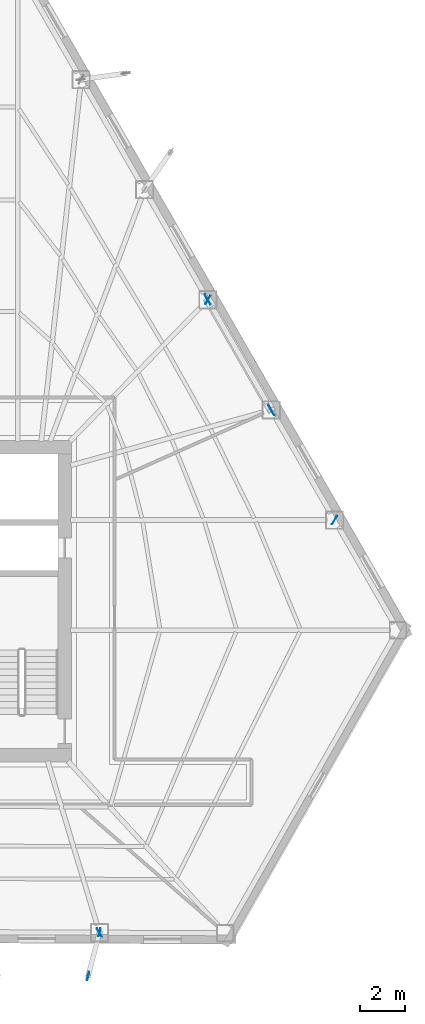
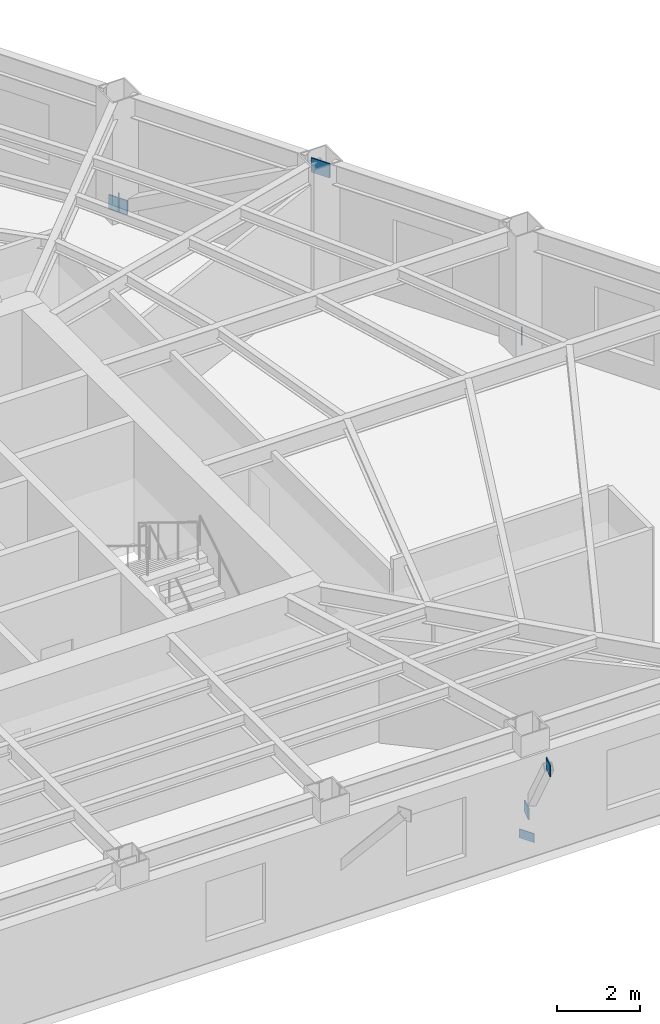
# One storey, part 7 of 13: 7 plates.
"""IFC4 building model written with IfcOpenShell, lengths in metres."""

from ifc_helpers import new_model, si_unit, direction, frame, origin, origin_2d, place, context, subcontext, project, spatial, rectangle, extrude, material, layer, layer_set, type_object, element, save


model = new_model("IFC4")

# Units and contexts
model_context = context("Model", 3, precision=1e-05, world=origin(), true_north=direction((0.0, 1.0)))
body_context = subcontext(model_context, "Body", "Model", "MODEL_VIEW")
ifc_project = project(units=[si_unit("LENGTHUNIT", "METRE"), si_unit("AREAUNIT", "SQUARE_METRE"), si_unit("VOLUMEUNIT", "CUBIC_METRE"), si_unit("PLANEANGLEUNIT", "RADIAN"), si_unit("MASSUNIT", "GRAM", prefix="KILO")], contexts=[model_context])

# Site, building, storey
site_placement = place(None, origin())
site = spatial("IfcSite", under=ifc_project, at=site_placement, CompositionType="ELEMENT")
building_placement = place(site_placement, origin())
building = spatial("IfcBuilding", under=site, at=building_placement, Name="Kavelnor Concourse Tower", CompositionType="ELEMENT")
storey_placement = place(building_placement, frame((0.0, 0.0, 36.800048828125)))
storey = spatial("IfcBuildingStorey", under=building, at=storey_placement, Name="L09", CompositionType="ELEMENT", Elevation=36.800048828125)

# Plates
ifc_material = material(Name="Steel Grade 350", Category="steel")
ifc_layer_1 = layer(ifc_material, 0.028076171875, Name="Steel Grade 350")
ifc_layer_set_1 = layer_set([ifc_layer_1], Name="Steel Grade 350")
plate_type_1 = type_object("IfcPlateType", Name="PL-GUSSET-FOLD", PredefinedType="USERDEFINED", material=ifc_layer_set_1)
for number, where, z_axis, x_axis, name in (
    (1, (49.357666015625, 1.459716796875, 0.8798828125), (0.0, 0.0, 1.0), (-0.254433162972, -0.967090360608, 0.0), "L09 Balcony Strut Gusset GP4 1-B End Gusset A"),
    (2, (48.851318359375, -0.464111328125, 3.48486328125), (0.0, 0.0, 1.0), (-0.254433162972, -0.967090360608, 0.0), "L09 Balcony Strut Gusset GP4 1-B End Gusset B"),
):
    element("IfcPlate", number, at=place(storey_placement, frame(where, z_axis=z_axis, x_axis=x_axis)), inside=storey, type_object=plate_type_1, Name=name, ObjectType="GUSSET_PLATE", PredefinedType="USERDEFINED", context=body_context, shape_type="SweptSolid", body=[
        extrude(rectangle(XDim=0.360107421875, YDim=0.028076171875, at=origin_2d()), origin(), (0.0, 0.0, 1.0), 0.340087890625),
    ])
ifc_layer_2 = layer(ifc_material, 0.031982421875, Name="Steel Grade 350")
ifc_layer_set_2 = layer_set([ifc_layer_2], Name="Steel Grade 350")
plate_type_2 = type_object("IfcPlateType", Name="PL-GUSSET-TUBE-Z1", PredefinedType="USERDEFINED", material=ifc_layer_set_2)
for number, where, z_axis, x_axis, name in (
    (3, (54.138916015625, 29.431640625, 0.010009765625), (0.0, 0.0, 1.0), (0.498639034186, -0.866809733209, 0.0), "L09 Tube Brace Gusset GP3 F2-B2 End Gusset A"),
    (4, (56.951171875, 24.543701171875, 3.073974609375), (0.0, 0.0, 1.0), (0.498639034186, -0.866809733209, 0.0), "L09 Tube Brace Gusset GP3 F2-B2 End Gusset B"),
):
    element("IfcPlate", number, at=place(storey_placement, frame(where, z_axis=z_axis, x_axis=x_axis)), inside=storey, type_object=plate_type_2, Name=name, ObjectType="GUSSET_PLATE", PredefinedType="USERDEFINED", context=body_context, shape_type="SweptSolid", body=[
        extrude(rectangle(XDim=0.52001953125, YDim=0.031982421875, at=origin_2d()), origin(), (0.0, 0.0, 1.0), 0.419921875),
    ])
ifc_layer_3 = layer(ifc_material, 0.02490234375, Name="Steel Grade 350")
ifc_layer_set_3 = layer_set([ifc_layer_3], Name="Steel Grade 350")
plate_type_3 = type_object("IfcPlateType", Name="PL-SPLICE-FLANGE", PredefinedType="SHEET", material=ifc_layer_set_3)
for number, where, z_axis, x_axis, name in (
    (5, (49.3544921875, 1.447998046875, 0.169921875), (0.0, 0.0, 1.0), (-0.5, 0.866025403784, 0.0), "L09 Column Flange Splice Plate F1-B5"),
    (6, (59.74560546875, 19.686767578125, 0.169921875), (0.0, 0.0, 1.0), (-0.5, -0.866025403784, 0.0), "L09 Column Flange Splice Plate F2-B1"),
    (7, (54.14501953125, 29.42138671875, 0.169921875), (0.0, 0.0, 1.0), (-0.5, -0.866025403784, 0.0), "L09 Column Flange Splice Plate F2-B3"),
):
    element("IfcPlate", number, at=place(storey_placement, frame(where, z_axis=z_axis, x_axis=x_axis)), inside=storey, type_object=plate_type_3, Name=name, PredefinedType="SHEET", context=body_context, shape_type="SweptSolid", body=[
        extrude(rectangle(XDim=0.419921875, YDim=0.02490234375, at=origin_2d()), origin(), (0.0, 0.0, 1.0), 0.260009765625),
    ])

save(model, "model.ifc")
